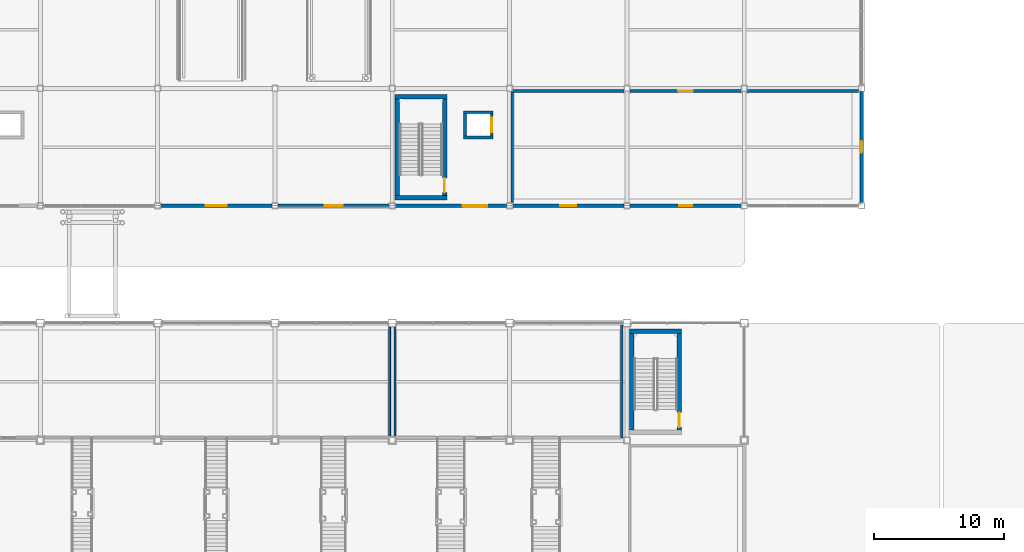
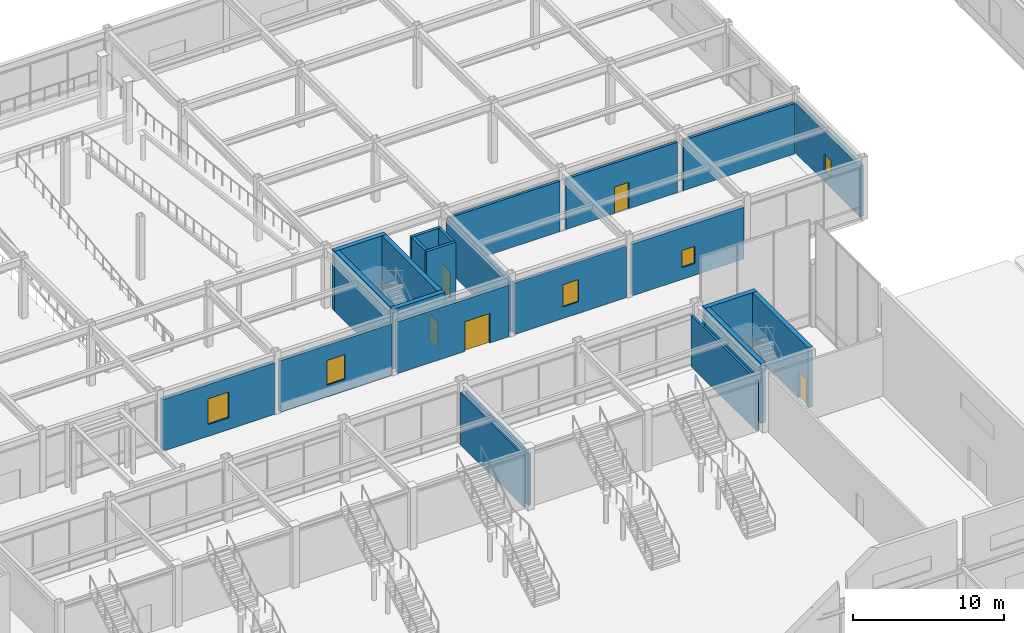
# One storey, part 89 of 123: 24 walls, 5 doors, 5 windows, 10 openings.
"""IFC4 building model written with IfcOpenShell, lengths in metres."""

from ifc_helpers import new_model, si_unit, direction, frame, frame_2d, origin, place, context, subcontext, project, spatial, rectangle, extrude, material, layer, layer_set, type_object, element, fill, save


model = new_model("IFC4")

# Units and contexts
model_context = context("Model", 3, precision=1e-05, world=origin(), true_north=direction((0.0, 1.0)))
body_context = subcontext(model_context, "Body", "Model", "MODEL_VIEW")
ifc_project = project(units=[si_unit("LENGTHUNIT", "METRE"), si_unit("AREAUNIT", "SQUARE_METRE"), si_unit("VOLUMEUNIT", "CUBIC_METRE"), si_unit("PLANEANGLEUNIT", "RADIAN"), si_unit("MASSUNIT", "GRAM", prefix="KILO")], contexts=[model_context])

# Site, building, storey
site_placement = place(None, origin())
site = spatial("IfcSite", under=ifc_project, at=site_placement, CompositionType="ELEMENT")
building_placement = place(site_placement, origin())
building = spatial("IfcBuilding", under=site, at=building_placement, Name="Suzunagisa Mobility Hub", CompositionType="ELEMENT")
storey_placement = place(building_placement, origin())
storey = spatial("IfcBuildingStorey", under=building, at=storey_placement, Name="L00", CompositionType="ELEMENT", Elevation=0.0)

# Wall, opening, window
ifc_material_1 = material(Name="Lightweight Insulated Autoclaved Concrete C30/37 Wall", Category="concrete")
ifc_layer_1 = layer(ifc_material_1, 0.239990234375)
ifc_layer_set_1 = layer_set([ifc_layer_1], Name="Lightweight Insulated Autoclaved Concrete C30/37 Wall")
wall_type_1 = type_object("IfcWallType", Name="Exterior Wall EW-04 240mm", PredefinedType="SOLIDWALL", material=ifc_layer_set_1)
wall_1_placement = place(storey_placement, frame((99.22509765625, 80.0, 0.0), z_axis=(0.0, 0.0, 1.0), x_axis=(1.0, 0.0, 0.0)))
wall_1 = element("IfcWall", 1, at=wall_1_placement, inside=storey, type_object=wall_type_1, Name="L00 Exterior Facade Wall EW-167", PredefinedType="SOLIDWALL", context=body_context, shape_type="SweptSolid", body=[
    extrude(rectangle(XDim=8.5498046875, YDim=0.239990234375, at=frame_2d((4.27490234375, 0.0))), origin(), (0.0, 0.0, 1.0), 4.18994140625),
])
opening_1_placement = place(wall_1_placement, frame((3.675048828125, 0.0, 0.949951171875)))
opening_1 = element("IfcOpeningElement", 2, at=opening_1_placement, cuts=wall_1, Name="Opening WN-10", PredefinedType="OPENING", context=body_context, shape_type="SweptSolid", body=[
    extrude(rectangle(XDim=1.199951171875, YDim=1.800048828125, at=frame_2d((0.60009765625, 0.89990234375))), frame((0.0, 0.130859375, 0.0), z_axis=(0.0, -1.0, 0.0), x_axis=(1.0, 0.0, 0.0)), (0.0, 0.0, 1.0), 0.261962890625),
])
ifc_material_2 = material(Name="Thermally Broken Anodized Aluminum and Low-E Double Glazing", Category="aluminium")
window_type_1 = type_object("IfcWindowType", Name="Aluminum Window WN-10 1200x1800", PartitioningType="SINGLE_PANEL", PredefinedType="WINDOW", material=ifc_material_2)
window_1_placement = place(opening_1_placement, origin())
window_1 = element("IfcWindow", 3, at=window_1_placement, inside=storey, type_object=window_type_1, Name="L00 Scheduled Facade Window WN-42", OverallHeight=1.800048828125, OverallWidth=1.199951171875, PartitioningType="SINGLE_PANEL", PredefinedType="WINDOW", context=body_context, shape_type="SweptSolid", body=[
    extrude(rectangle(XDim=1.199951171875, YDim=1.800048828125, at=frame_2d((0.60009765625, 0.89990234375))), frame((0.0, 0.030029296875, 0.0), z_axis=(0.0, -1.0, 0.0), x_axis=(1.0, 0.0, 0.0)), (0.0, 0.0, 1.0), 0.06005859375),
])
fill(opening_1, window_1)

ifc_material_3 = material(Name="Porcelain-Faced Insulated Concrete C30/37 Wall", Category="concrete")
ifc_layer_2 = layer(ifc_material_3, 0.280029296875)
ifc_layer_set_2 = layer_set([ifc_layer_2], Name="Porcelain-Faced Insulated Concrete C30/37 Wall")
wall_type_2 = type_object("IfcWallType", Name="Exterior Wall EW-08 280mm", PredefinedType="SOLIDWALL", material=ifc_layer_set_2)
wall_2_placement = place(storey_placement, frame((81.22509765625, 80.0, 0.0), z_axis=(0.0, 0.0, 1.0), x_axis=(1.0, 0.0, 0.0)))
wall_2 = element("IfcWall", 4, at=wall_2_placement, inside=storey, type_object=wall_type_2, Name="L00 Exterior Facade Wall EW-165", PredefinedType="SOLIDWALL", context=body_context, shape_type="SweptSolid", body=[
    extrude(rectangle(XDim=8.5498046875, YDim=0.280029296875, at=frame_2d((4.27490234375, 0.0))), origin(), (0.0, 0.0, 1.0), 4.18994140625),
])
opening_2_placement = place(wall_2_placement, frame((3.574951171875, 0.0, 0.949951171875)))
opening_2 = element("IfcOpeningElement", 5, at=opening_2_placement, cuts=wall_2, Name="Opening WN-25", PredefinedType="OPENING", context=body_context, shape_type="SweptSolid", body=[
    extrude(rectangle(XDim=1.39990234375, YDim=2.0, at=frame_2d((0.699951171875, 1.0))), frame((0.0, 0.15087890625, 0.0), z_axis=(0.0, -1.0, 0.0), x_axis=(1.0, 0.0, 0.0)), (0.0, 0.0, 1.0), 0.302001953125),
])
window_type_2 = type_object("IfcWindowType", Name="Aluminum Window WN-25 1400x2000", PartitioningType="SINGLE_PANEL", PredefinedType="WINDOW", material=ifc_material_2)
window_2_placement = place(opening_2_placement, origin())
window_2 = element("IfcWindow", 6, at=window_2_placement, inside=storey, type_object=window_type_2, Name="L00 Scheduled Facade Window WN-41", OverallHeight=2.0, OverallWidth=1.39990234375, PartitioningType="SINGLE_PANEL", PredefinedType="WINDOW", context=body_context, shape_type="SweptSolid", body=[
    extrude(rectangle(XDim=1.39990234375, YDim=2.0, at=frame_2d((0.699951171875, 1.0))), frame((0.0, 0.030029296875, 0.0), z_axis=(0.0, -1.0, 0.0), x_axis=(1.0, 0.0, 0.0)), (0.0, 0.0, 1.0), 0.06005859375),
])
fill(opening_2, window_2)

wall_3_placement = place(storey_placement, frame((126.0, 80.22509765625, 0.0), z_axis=(0.0, 0.0, 1.0), x_axis=(0.0, 1.0, 0.0)))
wall_3 = element("IfcWall", 7, at=wall_3_placement, inside=storey, type_object=wall_type_2, Name="L00 Exterior Facade Wall EW-169", PredefinedType="SOLIDWALL", context=body_context, shape_type="SweptSolid", body=[
    extrude(rectangle(XDim=8.5498046875, YDim=0.280029296875, at=frame_2d((4.27490234375, 0.0))), origin(), (0.0, 0.0, 1.0), 4.090087890625),
])
opening_3_placement = place(wall_3_placement, frame((3.824951171875, 0.0, 0.949951171875)))
opening_3 = element("IfcOpeningElement", 8, at=opening_3_placement, cuts=wall_3, Name="Opening WN-14", PredefinedType="OPENING", context=body_context, shape_type="SweptSolid", body=[
    extrude(rectangle(XDim=0.89990234375, YDim=1.300048828125, at=frame_2d((0.449951171875, 0.64990234375))), frame((0.0, 0.15087890625, 0.0), z_axis=(0.0, -1.0, 0.0), x_axis=(1.0, 0.0, 0.0)), (0.0, 0.0, 1.0), 0.302001953125),
])
window_type_3 = type_object("IfcWindowType", Name="Aluminum Window WN-14 900x1300", PartitioningType="SINGLE_PANEL", PredefinedType="WINDOW", material=ifc_material_2)
window_3_placement = place(opening_3_placement, origin())
window_3 = element("IfcWindow", 9, at=window_3_placement, inside=storey, type_object=window_type_3, Name="L00 Scheduled Facade Window WN-44", OverallHeight=1.300048828125, OverallWidth=0.89990234375, PartitioningType="SINGLE_PANEL", PredefinedType="WINDOW", context=body_context, shape_type="SweptSolid", body=[
    extrude(rectangle(XDim=0.89990234375, YDim=1.300048828125, at=frame_2d((0.449951171875, 0.64990234375))), frame((0.0, 0.030029296875, 0.0), z_axis=(0.0, -1.0, 0.0), x_axis=(1.0, 0.0, 0.0)), (0.0, 0.0, 1.0), 0.06005859375),
])
fill(opening_3, window_3)

ifc_material_4 = material(Name="Insulated Precast Concrete C35/45 Panel", Category="concrete")
ifc_layer_3 = layer(ifc_material_4, 0.300048828125)
ifc_layer_set_3 = layer_set([ifc_layer_3], Name="Insulated Precast Concrete C35/45 Panel")
wall_type_3 = type_object("IfcWallType", Name="Exterior Wall EW-09 300mm", PredefinedType="SOLIDWALL", material=ifc_layer_set_3)
wall_4_placement = place(storey_placement, frame((72.22509765625, 80.0, 0.0), z_axis=(0.0, 0.0, 1.0), x_axis=(1.0, 0.0, 0.0)))
wall_4 = element("IfcWall", 10, at=wall_4_placement, inside=storey, type_object=wall_type_3, Name="L00 Exterior Facade Wall EW-164", PredefinedType="SOLIDWALL", context=body_context, shape_type="SweptSolid", body=[
    extrude(rectangle(XDim=8.5498046875, YDim=0.300048828125, at=frame_2d((4.27490234375, 0.0))), origin(), (0.0, 0.0, 1.0), 4.18994140625),
])
opening_4_placement = place(wall_4_placement, frame((3.47509765625, 0.0, 0.949951171875)))
opening_4 = element("IfcOpeningElement", 11, at=opening_4_placement, cuts=wall_4, Name="Opening WN-04", PredefinedType="OPENING", context=body_context, shape_type="SweptSolid", body=[
    extrude(rectangle(XDim=1.60009765625, YDim=2.10009765625, at=frame_2d((0.800048828125, 1.050048828125))), frame((0.0, 0.1611328125, 0.0), z_axis=(0.0, -1.0, 0.0), x_axis=(1.0, 0.0, 0.0)), (0.0, 0.0, 1.0), 0.322021484375),
])
window_type_4 = type_object("IfcWindowType", Name="Aluminum Window WN-04 1600x2100", PartitioningType="SINGLE_PANEL", PredefinedType="WINDOW", material=ifc_material_2)
window_4_placement = place(opening_4_placement, origin())
window_4 = element("IfcWindow", 12, at=window_4_placement, inside=storey, type_object=window_type_4, Name="L00 Scheduled Facade Window WN-40", OverallHeight=2.10009765625, OverallWidth=1.60009765625, PartitioningType="SINGLE_PANEL", PredefinedType="WINDOW", context=body_context, shape_type="SweptSolid", body=[
    extrude(rectangle(XDim=1.60009765625, YDim=2.10009765625, at=frame_2d((0.800048828125, 1.050048828125))), frame((0.0, 0.030029296875, 0.0), z_axis=(0.0, -1.0, 0.0), x_axis=(1.0, 0.0, 0.0)), (0.0, 0.0, 1.0), 0.06005859375),
])
fill(opening_4, window_4)

# Wall, opening, door
wall_5_placement = place(storey_placement, frame((90.22509765625, 80.0, 0.0), z_axis=(0.0, 0.0, 1.0), x_axis=(1.0, 0.0, 0.0)))
wall_5 = element("IfcWall", 13, at=wall_5_placement, inside=storey, type_object=wall_type_3, Name="L00 Entrance Portal Wall 166", PredefinedType="SOLIDWALL", context=body_context, shape_type="SweptSolid", body=[
    extrude(rectangle(XDim=8.5498046875, YDim=0.300048828125, at=frame_2d((4.27490234375, 0.0))), origin(), (0.0, 0.0, 1.0), 4.18994140625),
])
opening_5_placement = place(wall_5_placement, frame((7.074951171875, 0.0, 0.0), z_axis=(0.0, 0.0, 1.0), x_axis=(-1.0, 0.0, 0.0)))
opening_5 = element("IfcOpeningElement", 14, at=opening_5_placement, cuts=wall_5, Name="Opening ED-07", PredefinedType="OPENING", context=body_context, shape_type="SweptSolid", body=[
    extrude(rectangle(XDim=1.89990234375, YDim=2.39990234375, at=frame_2d((0.949951171875, 1.199951171875))), frame((0.0, 0.1611328125, 0.0), z_axis=(0.0, -1.0, 0.0), x_axis=(1.0, 0.0, 0.0)), (0.0, 0.0, 1.0), 0.322021484375),
])
ifc_material_5 = material(Name="Anodized Aluminum and Tempered Safety Glass", Category="aluminium")
door_type_1 = type_object("IfcDoorType", Name="Exterior Glazed Aluminum Door ED-07 1900x2400", OperationType="DOUBLE_DOOR_SINGLE_SWING", PredefinedType="DOOR", material=ifc_material_5)
door_1_placement = place(opening_5_placement, origin())
door_1 = element("IfcDoor", 15, at=door_1_placement, inside=storey, type_object=door_type_1, Name="L00 Pedestrian Final Exit Door EX-19", OperationType="SINGLE_SWING_LEFT", OverallHeight=2.39990234375, OverallWidth=1.89990234375, PredefinedType="DOOR", context=body_context, shape_type="SweptSolid", body=[
    extrude(rectangle(XDim=1.89990234375, YDim=2.39990234375, at=frame_2d((0.949951171875, 1.199951171875))), frame((0.0, 0.02490234375, 0.0), z_axis=(0.0, -1.0, 0.0), x_axis=(1.0, 0.0, 0.0)), (0.0, 0.0, 1.0), 0.050048828125),
])
fill(opening_5, door_1)

# Wall, opening, window
wall_6_placement = place(storey_placement, frame((108.22509765625, 80.0, 0.0), z_axis=(0.0, 0.0, 1.0), x_axis=(1.0, 0.0, 0.0)))
wall_6 = element("IfcWall", 16, at=wall_6_placement, inside=storey, type_object=wall_type_3, Name="L00 Exterior Facade Wall EW-168", PredefinedType="SOLIDWALL", context=body_context, shape_type="SweptSolid", body=[
    extrude(rectangle(XDim=8.5498046875, YDim=0.300048828125, at=frame_2d((4.27490234375, 0.0))), origin(), (0.0, 0.0, 1.0), 4.18994140625),
])
opening_6_placement = place(wall_6_placement, frame((3.77490234375, 0.0, 0.949951171875)))
opening_6 = element("IfcOpeningElement", 17, at=opening_6_placement, cuts=wall_6, Name="Opening WN-21", PredefinedType="OPENING", context=body_context, shape_type="SweptSolid", body=[
    extrude(rectangle(XDim=1.0, YDim=1.39990234375, at=frame_2d((0.5, 0.699951171875))), frame((0.0, 0.1611328125, 0.0), z_axis=(0.0, -1.0, 0.0), x_axis=(1.0, 0.0, 0.0)), (0.0, 0.0, 1.0), 0.322021484375),
])
window_type_5 = type_object("IfcWindowType", Name="Aluminum Window WN-21 1000x1400", PartitioningType="SINGLE_PANEL", PredefinedType="WINDOW", material=ifc_material_2)
window_5_placement = place(opening_6_placement, origin())
window_5 = element("IfcWindow", 18, at=window_5_placement, inside=storey, type_object=window_type_5, Name="L00 Scheduled Facade Window WN-43", OverallHeight=1.39990234375, OverallWidth=1.0, PartitioningType="SINGLE_PANEL", PredefinedType="WINDOW", context=body_context, shape_type="SweptSolid", body=[
    extrude(rectangle(XDim=1.0, YDim=1.39990234375, at=frame_2d((0.5, 0.699951171875))), frame((0.0, 0.030029296875, 0.0), z_axis=(0.0, -1.0, 0.0), x_axis=(1.0, 0.0, 0.0)), (0.0, 0.0, 1.0), 0.06005859375),
])
fill(opening_6, window_5)

# Wall, opening, door
ifc_material_6 = material(Name="Fire-Rated Gypsum Stud Partition", Category="gypsum")
ifc_layer_4 = layer(ifc_material_6, 0.2099609375)
ifc_layer_set_4 = layer_set([ifc_layer_4], Name="Fire-Rated Gypsum Stud Partition")
wall_type_4 = type_object("IfcWallType", Name="Interior Wall IW-03 210mm", PredefinedType="PARTITIONING", material=ifc_layer_set_4)
wall_7_placement = place(storey_placement, frame((97.625, 85.330078125, 0.0), z_axis=(0.0, 0.0, 1.0), x_axis=(0.0, 1.0, 0.0)))
wall_7 = element("IfcWall", 19, at=wall_7_placement, inside=storey, type_object=wall_type_4, Name="L00 Lift LF-07 Shaft Front Wall", PredefinedType="PARTITIONING", context=body_context, shape_type="SweptSolid", body=[
    extrude(rectangle(XDim=1.739990234375, YDim=0.2099609375, at=frame_2d((0.8701171875, 0.0))), origin(), (0.0, 0.0, 1.0), 4.840087890625),
])
opening_7_placement = place(wall_7_placement, frame((0.320068359375, 0.0, 0.0)))
opening_7 = element("IfcOpeningElement", 20, at=opening_7_placement, cuts=wall_7, Name="Opening LD-01", PredefinedType="OPENING", context=body_context, shape_type="SweptSolid", body=[
    extrude(rectangle(XDim=1.10009765625, YDim=2.14990234375, at=frame_2d((0.550048828125, 1.074951171875))), frame((0.0, 0.115966796875, 0.0), z_axis=(0.0, -1.0, 0.0), x_axis=(1.0, 0.0, 0.0)), (0.0, 0.0, 1.0), 0.23193359375),
])
ifc_material_7 = material(Name="Brushed Stainless Steel SUS304", Category="metal")
door_type_2 = type_object("IfcDoorType", Name="Lift Landing Sliding Door LD-01 1100x2150", OperationType="SLIDING_TO_LEFT", PredefinedType="DOOR", material=ifc_material_7)
door_2_placement = place(opening_7_placement, origin())
door_2 = element("IfcDoor", 21, at=door_2_placement, inside=storey, type_object=door_type_2, Name="L00 Lift LF-07 Sliding Landing Door", OperationType="SLIDING_TO_LEFT", OverallHeight=2.14990234375, OverallWidth=1.10009765625, PredefinedType="DOOR", context=body_context, shape_type="SweptSolid", body=[
    extrude(rectangle(XDim=1.10009765625, YDim=2.14990234375, at=frame_2d((0.550048828125, 1.074951171875))), frame((0.0, 0.02490234375, 0.0), z_axis=(0.0, -1.0, 0.0), x_axis=(1.0, 0.0, 0.0)), (0.0, 0.0, 1.0), 0.050048828125),
])
fill(opening_7, door_2)

# Walls
wall_8_placement = place(storey_placement, frame((95.574951171875, 85.330078125, 0.0), z_axis=(0.0, 0.0, 1.0), x_axis=(0.0, 1.0, 0.0)))
element("IfcWall", 22, at=wall_8_placement, inside=storey, type_object=wall_type_4, Name="L00 Lift LF-07 Shaft Back Wall", PredefinedType="PARTITIONING", context=body_context, shape_type="SweptSolid", body=[
    extrude(rectangle(XDim=1.739990234375, YDim=0.2099609375, at=frame_2d((0.8701171875, 0.0))), origin(), (0.0, 0.0, 1.0), 4.840087890625),
])
for number, where, z_axis, x_axis, name in (
    (23, (95.469970703125, 85.22509765625, 0.0), (0.0, 0.0, 1.0), (1.0, 0.0, 0.0), "L00 Lift LF-07 Shaft South Wall"),
    (24, (95.469970703125, 87.175048828125, 0.0), (0.0, 0.0, 1.0), (1.0, 0.0, 0.0), "L00 Lift LF-07 Shaft North Wall"),
):
    element("IfcWall", number, at=place(storey_placement, frame(where, z_axis=z_axis, x_axis=x_axis)), inside=storey, type_object=wall_type_4, Name=name, PredefinedType="PARTITIONING", context=body_context, shape_type="SweptSolid", body=[
        extrude(rectangle(XDim=2.260009765625, YDim=0.2099609375, at=frame_2d((1.1298828125, 0.0))), origin(), (0.0, 0.0, 1.0), 4.840087890625),
    ])
wall_9_placement = place(storey_placement, frame((99.22509765625, 88.800048828125, 0.0), z_axis=(0.0, 0.0, 1.0), x_axis=(1.0, 0.0, 0.0)))
element("IfcWall", 25, at=wall_9_placement, inside=storey, type_object=wall_type_4, Name="L00 Foam Proportioning and Charger Switchgear Room Partition PW-731", PredefinedType="PARTITIONING", context=body_context, shape_type="SweptSolid", body=[
    extrude(rectangle(XDim=8.5498046875, YDim=0.2099609375, at=frame_2d((4.27490234375, 0.0))), origin(), (0.0, 0.0, 1.0), 4.090087890625),
])

# Wall, opening, door
wall_10_placement = place(storey_placement, frame((108.22509765625, 88.800048828125, 0.0), z_axis=(0.0, 0.0, 1.0), x_axis=(1.0, 0.0, 0.0)))
wall_10 = element("IfcWall", 26, at=wall_10_placement, inside=storey, type_object=wall_type_4, Name="L00 Foam Proportioning and Charger Switchgear Room Partition PW-732", PredefinedType="PARTITIONING", context=body_context, shape_type="SweptSolid", body=[
    extrude(rectangle(XDim=8.5498046875, YDim=0.2099609375, at=frame_2d((4.27490234375, 0.0))), origin(), (0.0, 0.0, 1.0), 4.090087890625),
])
opening_8_placement = place(wall_10_placement, frame((3.72509765625, 0.0, 0.0)))
opening_8 = element("IfcOpeningElement", 27, at=opening_8_placement, cuts=wall_10, Name="Opening DR-11", PredefinedType="OPENING", context=body_context, shape_type="SweptSolid", body=[
    extrude(rectangle(XDim=1.10009765625, YDim=2.14990234375, at=frame_2d((0.550048828125, 1.074951171875))), frame((0.0, 0.115966796875, 0.0), z_axis=(0.0, -1.0, 0.0), x_axis=(1.0, 0.0, 0.0)), (0.0, 0.0, 1.0), 0.23193359375),
])
ifc_material_8 = material(Name="Riser and Switchroom Fire Door")
door_type_3 = type_object("IfcDoorType", Name="Interior Door DR-11 1100x2150", OperationType="SINGLE_SWING_LEFT", PredefinedType="DOOR", material=ifc_material_8)
door_3_placement = place(opening_8_placement, origin())
door_3 = element("IfcDoor", 28, at=door_3_placement, inside=storey, type_object=door_type_3, Name="L00 Foam Proportioning and Charger Switchgear Room Door DR-184", OperationType="SINGLE_SWING_LEFT", OverallHeight=2.14990234375, OverallWidth=1.10009765625, PredefinedType="DOOR", context=body_context, shape_type="SweptSolid", body=[
    extrude(rectangle(XDim=1.10009765625, YDim=2.14990234375, at=frame_2d((0.550048828125, 1.074951171875))), frame((0.0, 0.02490234375, 0.0), z_axis=(0.0, -1.0, 0.0), x_axis=(1.0, 0.0, 0.0)), (0.0, 0.0, 1.0), 0.050048828125),
])
fill(opening_8, door_3)

# Walls
for number, where, z_axis, x_axis, name in (
    (29, (117.22509765625, 88.800048828125, 0.0), (0.0, 0.0, 1.0), (1.0, 0.0, 0.0), "L00 Foam Proportioning and Charger Switchgear Room Partition PW-733"),
    (30, (99.199951171875, 80.22509765625, 0.0), (0.0, 0.0, 1.0), (0.0, 1.0, 0.0), "L00 Foam Proportioning and Charger Switchgear Room Partition PW-734"),
):
    element("IfcWall", number, at=place(storey_placement, frame(where, z_axis=z_axis, x_axis=x_axis)), inside=storey, type_object=wall_type_4, Name=name, PredefinedType="PARTITIONING", context=body_context, shape_type="SweptSolid", body=[
        extrude(rectangle(XDim=8.5498046875, YDim=0.2099609375, at=frame_2d((4.27490234375, 0.0))), origin(), (0.0, 0.0, 1.0), 4.090087890625),
    ])
ifc_material_9 = material(Name="Concrete C35/45", Category="concrete")
ifc_layer_5 = layer(ifc_material_9, 0.35009765625)
ifc_layer_set_5 = layer_set([ifc_layer_5], Name="Concrete C35/45")
wall_type_5 = type_object("IfcWallType", Name="Interior Wall IW-04 350mm", PredefinedType="SHEAR", material=ifc_layer_set_5)
wall_11_placement = place(storey_placement, frame((108.2099609375, 70.375, 0.0), z_axis=(0.0, 0.0, 1.0), x_axis=(1.0, 0.0, 0.0)))
element("IfcWall", 31, at=wall_11_placement, inside=storey, type_object=wall_type_5, Name="L00 Core C2B Shear Wall SW-102", PredefinedType="SHEAR", context=body_context, shape_type="SweptSolid", body=[
    extrude(rectangle(XDim=3.97998046875, YDim=0.35009765625, at=frame_2d((1.989990234375, 0.0))), origin(), (0.0, 0.0, 1.0), 4.85009765625),
])
wall_12_placement = place(storey_placement, frame((108.385009765625, 62.800048828125, 0.0), z_axis=(0.0, 0.0, 1.0), x_axis=(0.0, 1.0, 0.0)))
element("IfcWall", 32, at=wall_12_placement, inside=storey, type_object=wall_type_5, Name="L00 Core C2B Shear Wall SW-103", PredefinedType="SHEAR", context=body_context, shape_type="SweptSolid", body=[
    extrude(rectangle(XDim=7.39990234375, YDim=0.35009765625, at=frame_2d((3.699951171875, 0.0))), origin(), (0.0, 0.0, 1.0), 4.85009765625),
])

# Wall, opening, door
wall_13_placement = place(storey_placement, frame((112.014892578125, 62.800048828125, 0.0), z_axis=(0.0, 0.0, 1.0), x_axis=(0.0, 1.0, 0.0)))
wall_13 = element("IfcWall", 33, at=wall_13_placement, inside=storey, type_object=wall_type_5, Name="L00 Core C2B Shear Wall SW-104", PredefinedType="SHEAR", context=body_context, shape_type="SweptSolid", body=[
    extrude(rectangle(XDim=7.39990234375, YDim=0.35009765625, at=frame_2d((3.699951171875, 0.0))), origin(), (0.0, 0.0, 1.0), 4.85009765625),
])
opening_9_placement = place(wall_13_placement, frame((0.219970703125, 0.0, 0.0)))
opening_9 = element("IfcOpeningElement", 34, at=opening_9_placement, cuts=wall_13, Name="Opening DR-05", PredefinedType="OPENING", context=body_context, shape_type="SweptSolid", body=[
    extrude(rectangle(XDim=1.10009765625, YDim=2.14990234375, at=frame_2d((0.550048828125, 1.074951171875))), frame((0.0, 0.18603515625, 0.0), z_axis=(0.0, -1.0, 0.0), x_axis=(1.0, 0.0, 0.0)), (0.0, 0.0, 1.0), 0.3720703125),
])
ifc_material_10 = material(Name="Fire-Rated Hollow Steel Stair Door", Category="steel")
door_type_4 = type_object("IfcDoorType", Name="Interior Door DR-05 1100x2150", OperationType="SINGLE_SWING_LEFT", PredefinedType="DOOR", material=ifc_material_10)
door_4_placement = place(opening_9_placement, origin())
door_4 = element("IfcDoor", 35, at=door_4_placement, inside=storey, type_object=door_type_4, Name="L00 Core C2B Escape Stair Fire Door SD-24", OperationType="SINGLE_SWING_LEFT", OverallHeight=2.14990234375, OverallWidth=1.10009765625, PredefinedType="DOOR", context=body_context, shape_type="SweptSolid", body=[
    extrude(rectangle(XDim=1.10009765625, YDim=2.14990234375, at=frame_2d((0.550048828125, 1.074951171875))), frame((0.0, 0.02490234375, 0.0), z_axis=(0.0, -1.0, 0.0), x_axis=(1.0, 0.0, 0.0)), (0.0, 0.0, 1.0), 0.050048828125),
])
fill(opening_9, door_4)

# Walls
for number, where, z_axis, x_axis, name in (
    (36, (90.2099609375, 80.625, 0.0), (0.0, 0.0, 1.0), (1.0, 0.0, 0.0), "L00 Core C4 Shear Wall SW-253"),
    (37, (90.2099609375, 88.375, 0.0), (0.0, 0.0, 1.0), (1.0, 0.0, 0.0), "L00 Core C4 Shear Wall SW-254"),
):
    element("IfcWall", number, at=place(storey_placement, frame(where, z_axis=z_axis, x_axis=x_axis)), inside=storey, type_object=wall_type_5, Name=name, PredefinedType="SHEAR", context=body_context, shape_type="SweptSolid", body=[
        extrude(rectangle(XDim=3.97998046875, YDim=0.35009765625, at=frame_2d((1.989990234375, 0.0))), origin(), (0.0, 0.0, 1.0), 4.840087890625),
    ])
wall_14_placement = place(storey_placement, frame((90.385009765625, 80.800048828125, 0.0), z_axis=(0.0, 0.0, 1.0), x_axis=(0.0, 1.0, 0.0)))
element("IfcWall", 38, at=wall_14_placement, inside=storey, type_object=wall_type_5, Name="L00 Core C4 Shear Wall SW-255", PredefinedType="SHEAR", context=body_context, shape_type="SweptSolid", body=[
    extrude(rectangle(XDim=7.39990234375, YDim=0.35009765625, at=frame_2d((3.699951171875, 0.0))), origin(), (0.0, 0.0, 1.0), 4.840087890625),
])

# Wall, opening, door
wall_15_placement = place(storey_placement, frame((94.014892578125, 80.800048828125, 0.0), z_axis=(0.0, 0.0, 1.0), x_axis=(0.0, 1.0, 0.0)))
wall_15 = element("IfcWall", 39, at=wall_15_placement, inside=storey, type_object=wall_type_5, Name="L00 Core C4 Shear Wall SW-256", PredefinedType="SHEAR", context=body_context, shape_type="SweptSolid", body=[
    extrude(rectangle(XDim=7.39990234375, YDim=0.35009765625, at=frame_2d((3.699951171875, 0.0))), origin(), (0.0, 0.0, 1.0), 4.840087890625),
])
opening_10_placement = place(wall_15_placement, frame((0.219970703125, 0.0, 0.0)))
opening_10 = element("IfcOpeningElement", 40, at=opening_10_placement, cuts=wall_15, Name="Opening DR-05", PredefinedType="OPENING", context=body_context, shape_type="SweptSolid", body=[
    extrude(rectangle(XDim=1.10009765625, YDim=2.14990234375, at=frame_2d((0.550048828125, 1.074951171875))), frame((0.0, 0.18603515625, 0.0), z_axis=(0.0, -1.0, 0.0), x_axis=(1.0, 0.0, 0.0)), (0.0, 0.0, 1.0), 0.3720703125),
])
door_5_placement = place(opening_10_placement, origin())
door_5 = element("IfcDoor", 41, at=door_5_placement, inside=storey, type_object=door_type_4, Name="L00 Core C4 Escape Stair Fire Door SD-62", OperationType="SINGLE_SWING_RIGHT", OverallHeight=2.14990234375, OverallWidth=1.10009765625, PredefinedType="DOOR", context=body_context, shape_type="SweptSolid", body=[
    extrude(rectangle(XDim=1.10009765625, YDim=2.14990234375, at=frame_2d((0.550048828125, 1.074951171875))), frame((0.0, 0.02490234375, 0.0), z_axis=(0.0, -1.0, 0.0), x_axis=(1.0, 0.0, 0.0)), (0.0, 0.0, 1.0), 0.050048828125),
])
fill(opening_10, door_5)

# Walls
ifc_layer_6 = layer(ifc_material_6, 0.169921875)
ifc_layer_set_6 = layer_set([ifc_layer_6], Name="Fire-Rated Gypsum Stud Partition")
wall_type_6 = type_object("IfcWallType", Name="Interior Wall IW-05 170mm", PredefinedType="PARTITIONING", material=ifc_layer_set_6)
wall_16_placement = place(storey_placement, frame((90.199951171875, 62.25, 0.0), z_axis=(0.0, 0.0, 1.0), x_axis=(0.0, 1.0, 0.0)))
element("IfcWall", 42, at=wall_16_placement, inside=storey, type_object=wall_type_6, Name="L00 Bus Berths Dispatch and Station Operations Office Partition PW-716", PredefinedType="PARTITIONING", context=body_context, shape_type="SweptSolid", body=[
    extrude(rectangle(XDim=8.449951171875, YDim=0.169921875, at=frame_2d((4.22509765625, 0.0))), origin(), (0.0, 0.0, 1.0), 4.199951171875),
])
wall_17_placement = place(storey_placement, frame((107.60009765625, 62.199951171875, 0.0), z_axis=(0.0, 0.0, 1.0), x_axis=(0.0, 1.0, 0.0)))
element("IfcWall", 43, at=wall_17_placement, inside=storey, type_object=wall_type_6, Name="L00 Bus Berths Dispatch and Station Operations Office Partition PW-717", PredefinedType="PARTITIONING", context=body_context, shape_type="SweptSolid", body=[
    extrude(rectangle(XDim=8.635009765625, YDim=0.169921875, at=frame_2d((4.3173828125, 0.0))), origin(), (0.0, 0.0, 1.0), 4.14990234375),
])
ifc_material_11 = material(Name="Acoustic Steel-Stud Gypsum Partition", Category="steel")
ifc_layer_7 = layer(ifc_material_11, 0.14501953125)
ifc_layer_set_7 = layer_set([ifc_layer_7], Name="Acoustic Steel-Stud Gypsum Partition")
wall_type_7 = type_object("IfcWallType", Name="Interior Wall IW-06 145mm", PredefinedType="PARTITIONING", material=ifc_layer_set_7)
wall_18_placement = place(storey_placement, frame((89.800048828125, 62.25, 0.0), z_axis=(0.0, 0.0, 1.0), x_axis=(0.0, 1.0, 0.0)))
element("IfcWall", 44, at=wall_18_placement, inside=storey, type_object=wall_type_7, Name="L00 Integrated Transit Ticketing and Information Lounge Partition PW-713", PredefinedType="PARTITIONING", context=body_context, shape_type="SweptSolid", body=[
    extrude(rectangle(XDim=8.449951171875, YDim=0.14501953125, at=frame_2d((4.22509765625, 0.0))), origin(), (0.0, 0.0, 1.0), 4.199951171875),
])

save(model, "model.ifc")
